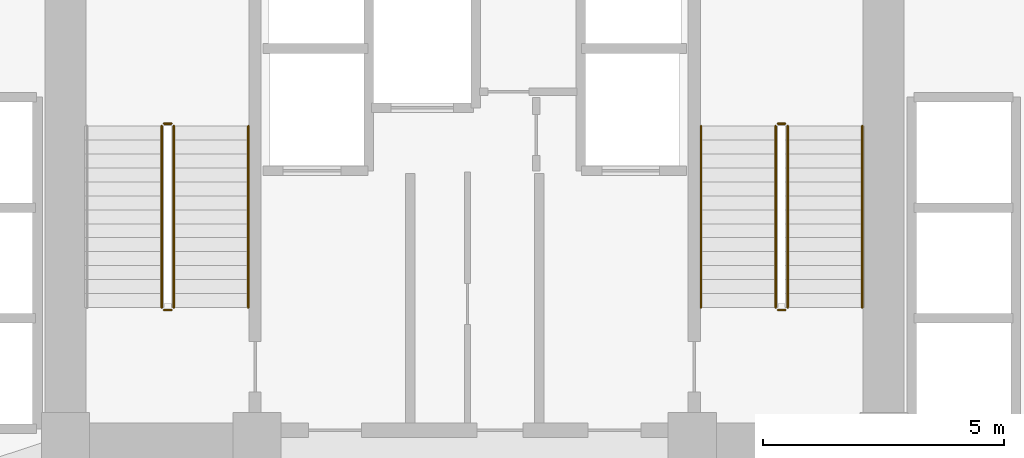
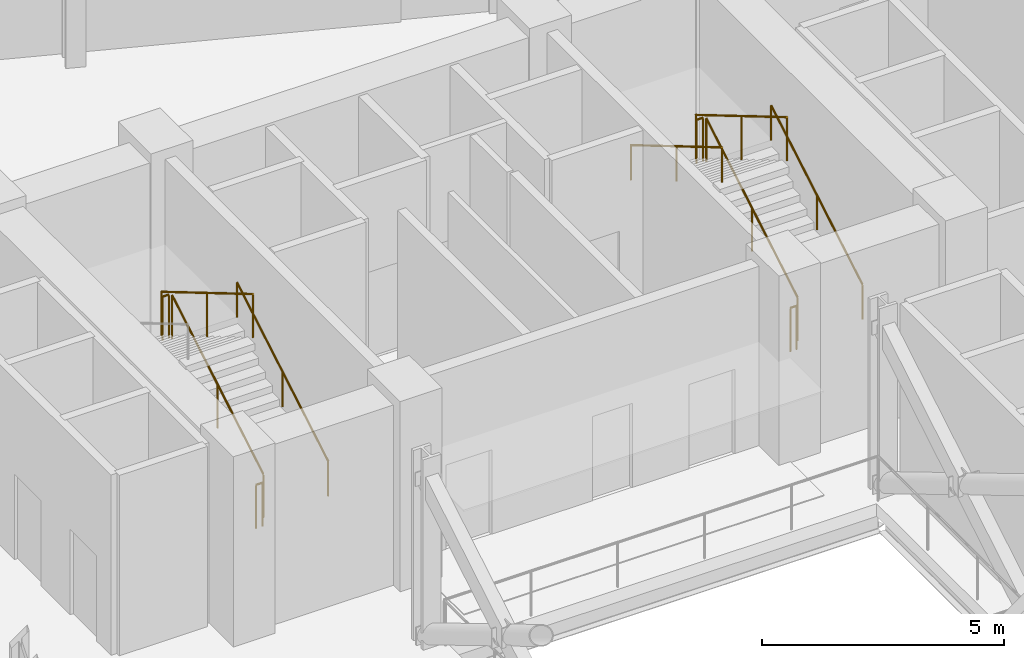
# One storey, part 10 of 11: 11 railings.
"""IFC4 building model written with IfcOpenShell, lengths in metres."""

from ifc_helpers import new_model, si_unit, direction, frame, origin, origin_2d, place, context, subcontext, project, spatial, circle, extrude, material, type_object, element, save


model = new_model("IFC4")

# Units and contexts
model_context = context("Model", 3, precision=1e-05, world=origin(), true_north=direction((0.0, 1.0)))
body_context = subcontext(model_context, "Body", "Model", "MODEL_VIEW")
ifc_project = project(units=[si_unit("LENGTHUNIT", "METRE"), si_unit("AREAUNIT", "SQUARE_METRE"), si_unit("VOLUMEUNIT", "CUBIC_METRE"), si_unit("PLANEANGLEUNIT", "RADIAN"), si_unit("MASSUNIT", "GRAM", prefix="KILO")], contexts=[model_context])

# Site, building, storey
site_placement = place(None, origin())
site = spatial("IfcSite", under=ifc_project, at=site_placement, CompositionType="ELEMENT")
building_placement = place(site_placement, origin())
building = spatial("IfcBuilding", under=site, at=building_placement, Name="Varnelok Gate Tower", CompositionType="ELEMENT")
storey_placement = place(building_placement, frame((0.0, 0.0, 71.39990234375)))
storey = spatial("IfcBuildingStorey", under=building, at=storey_placement, Name="L17", CompositionType="ELEMENT", Elevation=71.39990234375)

# Railings
ifc_material_1 = material(Name="Brushed Stainless Steel AISI 316", Category="steel")
railing_type_1 = type_object("IfcRailingType", Name="RL-HANDRAIL-900", PredefinedType="HANDRAIL", material=ifc_material_1)
for number, where, name in (
    (1, (34.5, 31.60009765625, 0.171630859375), "L17 ST-1 stair handrail 1"),
    (2, (47.25, 31.60009765625, 0.171630859375), "L17 ST-2 stair handrail 1"),
):
    element("IfcRailing", number, at=place(storey_placement, frame(where)), inside=storey, type_object=railing_type_1, Name=name, PredefinedType="HANDRAIL", context=body_context, shape_type="SweptSolid", body=[
        extrude(circle(Radius=0.02392578125, at=origin_2d()), frame((0.0, 0.0, 0.8759765625), z_axis=(0.0, 0.860848830602, 0.508860777473), x_axis=(-1.0, 0.0, 0.0)), (0.0, 0.0, 1.0), 4.37939453125),
        extrude(circle(Radius=0.02099609375, at=origin_2d()), origin(), (0.0, 0.0, 1.0), 0.851806640625),
        extrude(circle(Radius=0.02099609375, at=origin_2d()), frame((0.0, 1.885009765625, 1.1142578125)), (0.0, 0.0, 1.0), 0.851806640625),
        extrude(circle(Radius=0.02099609375, at=origin_2d()), frame((0.0, 3.77001953125, 2.228515625)), (0.0, 0.0, 1.0), 0.851806640625),
    ])
railing_1_placement = place(storey_placement, frame((43.89990234375, 35.3701171875, 2.571533203125)))
element("IfcRailing", 3, at=railing_1_placement, inside=storey, type_object=railing_type_1, Name="L17 ST-2 stair handrail 2", PredefinedType="HANDRAIL", context=body_context, shape_type="SweptSolid", body=[
    extrude(circle(Radius=0.02392578125, at=origin_2d()), frame((0.0, 0.0, 0.8759765625), z_axis=(0.0, -0.860848830602, 0.508860777473), x_axis=(1.0, 0.0, 0.0)), (0.0, 0.0, 1.0), 4.37939453125),
    extrude(circle(Radius=0.02099609375, at=origin_2d()), origin(), (0.0, 0.0, 1.0), 0.851806640625),
    extrude(circle(Radius=0.02099609375, at=origin_2d()), frame((0.0, -1.885009765625, 1.1142578125)), (0.0, 0.0, 1.0), 0.851806640625),
    extrude(circle(Radius=0.02099609375, at=origin_2d()), frame((0.0, -3.77001953125, 2.228515625)), (0.0, 0.0, 1.0), 0.851806640625),
])
ifc_material_2 = material(Name="Galvanized Steel Grade S350GD", Category="steel")
railing_type_2 = type_object("IfcRailingType", Name="RL-STAIR-GUARD1120", PredefinedType="GUARDRAIL", material=ifc_material_2)
railing_2_placement = place(storey_placement, frame((32.949951171875, 31.60009765625, 0.171630859375)))
element("IfcRailing", 4, at=railing_2_placement, inside=storey, type_object=railing_type_2, Name="L17 ST-1 stair guard 1", PredefinedType="GUARDRAIL", context=body_context, shape_type="SweptSolid", body=[
    extrude(circle(Radius=0.02392578125, at=origin_2d()), frame((0.0, 0.0, 1.09619140625), z_axis=(0.0, 0.860848830602, 0.508860777473), x_axis=(-1.0, 0.0, 0.0)), (0.0, 0.0, 1.0), 4.37939453125),
    extrude(circle(Radius=0.02099609375, at=origin_2d()), origin(), (0.0, 0.0, 1.0), 1.072021484375),
    extrude(circle(Radius=0.02099609375, at=origin_2d()), frame((0.0, 1.885009765625, 1.1142578125)), (0.0, 0.0, 1.0), 1.072021484375),
    extrude(circle(Radius=0.02099609375, at=origin_2d()), frame((0.0, 3.77001953125, 2.228515625)), (0.0, 0.0, 1.0), 1.072021484375),
])
railing_3_placement = place(storey_placement, frame((32.89990234375, 35.419921875, 2.400146484375)))
element("IfcRailing", 5, at=railing_3_placement, inside=storey, type_object=railing_type_2, Name="L17 ST-1 stair guard 2", PredefinedType="GUARDRAIL", context=body_context, shape_type="SweptSolid", body=[
    extrude(circle(Radius=0.02392578125, at=origin_2d()), frame((0.0, 0.0, 1.09619140625), z_axis=(-1.0, 0.0, 0.0), x_axis=(0.0, -1.0, 0.0)), (0.0, 0.0, 1.0), 0.14990234375),
    extrude(circle(Radius=0.02099609375, at=origin_2d()), origin(), (0.0, 0.0, 1.0), 1.072021484375),
    extrude(circle(Radius=0.02099609375, at=origin_2d()), frame((-0.14990234375, 0.0, 0.0)), (0.0, 0.0, 1.0), 1.072021484375),
])
railing_4_placement = place(storey_placement, frame((32.699951171875, 35.3701171875, 2.571533203125)))
element("IfcRailing", 6, at=railing_4_placement, inside=storey, type_object=railing_type_2, Name="L17 ST-1 stair guard 3", PredefinedType="GUARDRAIL", context=body_context, shape_type="SweptSolid", body=[
    extrude(circle(Radius=0.02392578125, at=origin_2d()), frame((0.0, 0.0, 1.09619140625), z_axis=(0.0, -0.860848830602, 0.508860777473), x_axis=(1.0, 0.0, 0.0)), (0.0, 0.0, 1.0), 4.37939453125),
    extrude(circle(Radius=0.02099609375, at=origin_2d()), origin(), (0.0, 0.0, 1.0), 1.072021484375),
    extrude(circle(Radius=0.02099609375, at=origin_2d()), frame((0.0, -1.885009765625, 1.1142578125)), (0.0, 0.0, 1.0), 1.072021484375),
    extrude(circle(Radius=0.02099609375, at=origin_2d()), frame((0.0, -3.77001953125, 2.228515625)), (0.0, 0.0, 1.0), 1.072021484375),
])
railing_5_placement = place(storey_placement, frame((32.89990234375, 31.550048828125, 0.0)))
element("IfcRailing", 7, at=railing_5_placement, inside=storey, type_object=railing_type_2, Name="L17 ST-1 stair guard 4", PredefinedType="GUARDRAIL", context=body_context, shape_type="SweptSolid", body=[
    extrude(circle(Radius=0.02392578125, at=origin_2d()), frame((0.0, 0.0, 1.09619140625), z_axis=(-1.0, 0.0, 0.0), x_axis=(0.0, -1.0, 0.0)), (0.0, 0.0, 1.0), 0.14990234375),
    extrude(circle(Radius=0.02099609375, at=origin_2d()), origin(), (0.0, 0.0, 1.0), 1.072021484375),
    extrude(circle(Radius=0.02099609375, at=origin_2d()), frame((-0.14990234375, 0.0, 0.0)), (0.0, 0.0, 1.0), 1.072021484375),
])
railing_6_placement = place(storey_placement, frame((45.699951171875, 31.60009765625, 0.171630859375)))
element("IfcRailing", 8, at=railing_6_placement, inside=storey, type_object=railing_type_2, Name="L17 ST-2 stair guard 1", PredefinedType="GUARDRAIL", context=body_context, shape_type="SweptSolid", body=[
    extrude(circle(Radius=0.02392578125, at=origin_2d()), frame((0.0, 0.0, 1.09619140625), z_axis=(0.0, 0.860848830602, 0.508860777473), x_axis=(-1.0, 0.0, 0.0)), (0.0, 0.0, 1.0), 4.37939453125),
    extrude(circle(Radius=0.02099609375, at=origin_2d()), origin(), (0.0, 0.0, 1.0), 1.072021484375),
    extrude(circle(Radius=0.02099609375, at=origin_2d()), frame((0.0, 1.885009765625, 1.1142578125)), (0.0, 0.0, 1.0), 1.072021484375),
    extrude(circle(Radius=0.02099609375, at=origin_2d()), frame((0.0, 3.77001953125, 2.228515625)), (0.0, 0.0, 1.0), 1.072021484375),
])
railing_7_placement = place(storey_placement, frame((45.64990234375, 35.419921875, 2.400146484375)))
element("IfcRailing", 9, at=railing_7_placement, inside=storey, type_object=railing_type_2, Name="L17 ST-2 stair guard 2", PredefinedType="GUARDRAIL", context=body_context, shape_type="SweptSolid", body=[
    extrude(circle(Radius=0.02392578125, at=origin_2d()), frame((0.0, 0.0, 1.09619140625), z_axis=(-1.0, 0.0, 0.0), x_axis=(0.0, -1.0, 0.0)), (0.0, 0.0, 1.0), 0.14990234375),
    extrude(circle(Radius=0.02099609375, at=origin_2d()), origin(), (0.0, 0.0, 1.0), 1.072021484375),
    extrude(circle(Radius=0.02099609375, at=origin_2d()), frame((-0.14990234375, 0.0, 0.0)), (0.0, 0.0, 1.0), 1.072021484375),
])
railing_8_placement = place(storey_placement, frame((45.449951171875, 35.3701171875, 2.571533203125)))
element("IfcRailing", 10, at=railing_8_placement, inside=storey, type_object=railing_type_2, Name="L17 ST-2 stair guard 3", PredefinedType="GUARDRAIL", context=body_context, shape_type="SweptSolid", body=[
    extrude(circle(Radius=0.02392578125, at=origin_2d()), frame((0.0, 0.0, 1.09619140625), z_axis=(0.0, -0.860848830602, 0.508860777473), x_axis=(1.0, 0.0, 0.0)), (0.0, 0.0, 1.0), 4.37939453125),
    extrude(circle(Radius=0.02099609375, at=origin_2d()), origin(), (0.0, 0.0, 1.0), 1.072021484375),
    extrude(circle(Radius=0.02099609375, at=origin_2d()), frame((0.0, -1.885009765625, 1.1142578125)), (0.0, 0.0, 1.0), 1.072021484375),
    extrude(circle(Radius=0.02099609375, at=origin_2d()), frame((0.0, -3.77001953125, 2.228515625)), (0.0, 0.0, 1.0), 1.072021484375),
])
railing_9_placement = place(storey_placement, frame((45.64990234375, 31.550048828125, 0.0)))
element("IfcRailing", 11, at=railing_9_placement, inside=storey, type_object=railing_type_2, Name="L17 ST-2 stair guard 4", PredefinedType="GUARDRAIL", context=body_context, shape_type="SweptSolid", body=[
    extrude(circle(Radius=0.02392578125, at=origin_2d()), frame((0.0, 0.0, 1.09619140625), z_axis=(-1.0, 0.0, 0.0), x_axis=(0.0, -1.0, 0.0)), (0.0, 0.0, 1.0), 0.14990234375),
    extrude(circle(Radius=0.02099609375, at=origin_2d()), origin(), (0.0, 0.0, 1.0), 1.072021484375),
    extrude(circle(Radius=0.02099609375, at=origin_2d()), frame((-0.14990234375, 0.0, 0.0)), (0.0, 0.0, 1.0), 1.072021484375),
])

save(model, "model.ifc")
